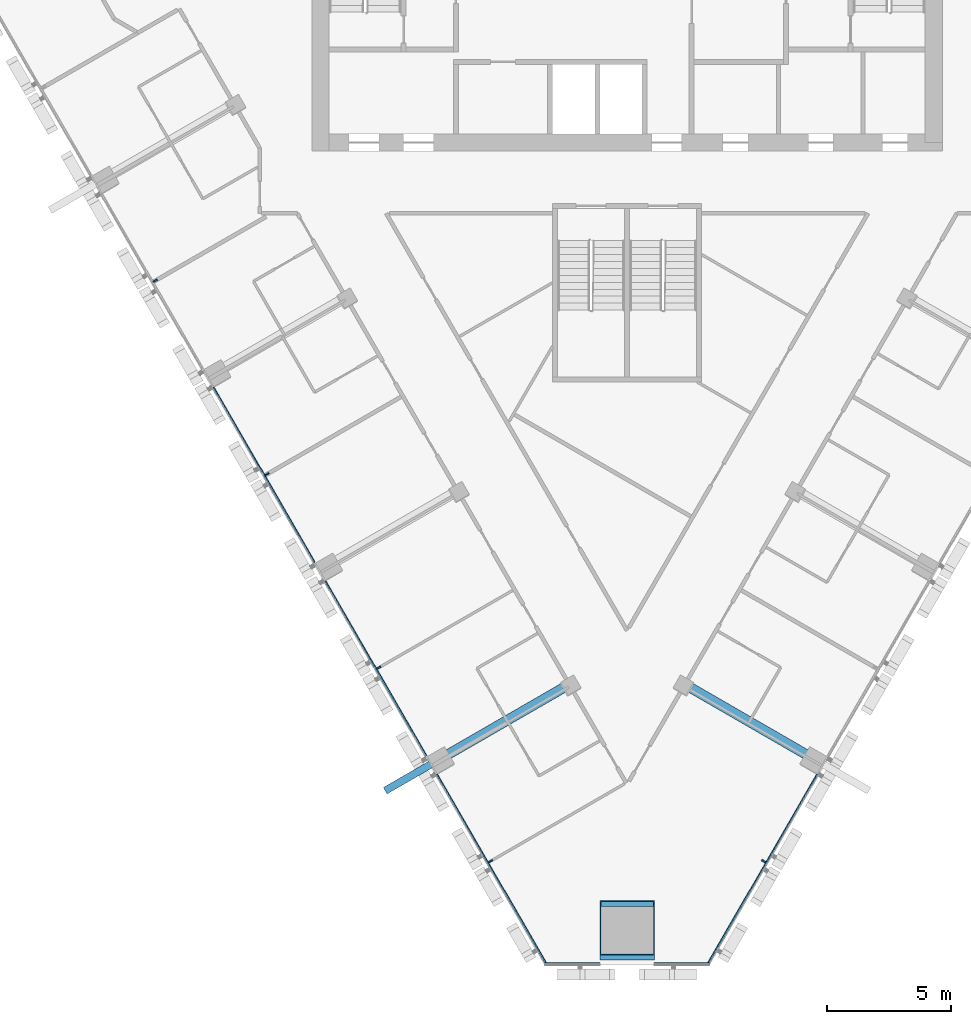
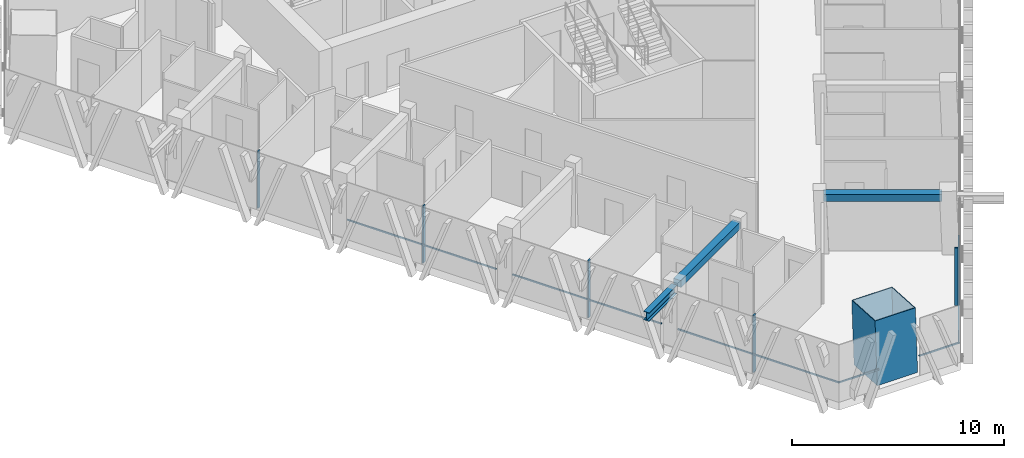
# One storey, part 2 of 15: 13 members, 2 beams, 3 elements without a shape of their own.
"""IFC4 building model written with IfcOpenShell, lengths in metres."""

from ifc_helpers import new_model, si_unit, direction, frame, origin, origin_2d, place, context, subcontext, project, spatial, rectangle, hollow_rectangle, i_section, extrude, material, layer, layer_set, material_profile, profile_set, type_object, element, aggregate, save


model = new_model("IFC4")

# Units and contexts
model_context = context("Model", 3, precision=1e-05, world=origin(), true_north=direction((0.0, 1.0)))
body_context = subcontext(model_context, "Body", "Model", "MODEL_VIEW")
ifc_project = project(units=[si_unit("LENGTHUNIT", "METRE"), si_unit("AREAUNIT", "SQUARE_METRE"), si_unit("VOLUMEUNIT", "CUBIC_METRE"), si_unit("PLANEANGLEUNIT", "RADIAN"), si_unit("MASSUNIT", "GRAM", prefix="KILO")], contexts=[model_context])

# Site, building, storey
site_placement = place(None, origin())
site = spatial("IfcSite", under=ifc_project, at=site_placement, CompositionType="ELEMENT")
building_placement = place(site_placement, origin())
building = spatial("IfcBuilding", under=site, at=building_placement, Name="Altiplano Prism Tower", CompositionType="ELEMENT")
storey_placement = place(building_placement, frame((0.0, 0.0, 185.39990234375)))
storey = spatial("IfcBuildingStorey", under=building, at=storey_placement, Name="L48", CompositionType="ELEMENT", Elevation=185.39990234375)

# Member
ifc_material_1 = material(Name="Steel S355", Category="steel")
ifc_material_profile_1 = material_profile(ifc_material_1, i_section(OverallWidth=0.300048828125, OverallDepth=0.5, WebThickness=0.014404296875, FlangeThickness=0.028076171875, FilletRadius=0.027099609375, at=origin_2d()), Name="Brace bracket HEB 500")
ifc_profile_set_1 = profile_set([ifc_material_profile_1], Name="Steel S355")
member_type_1 = type_object("IfcMemberType", Name="Brace bracket HEB 500", PredefinedType="STRUT", material=ifc_profile_set_1)
member_1_placement = place(storey_placement, frame((77.552734375, 68.268310546875, 2.9501953125), z_axis=(-0.865989200783, -0.500062700197, 0.0), x_axis=(0.500062700197, -0.865989200783, 0.0)))
element("IfcMember", 1, at=member_1_placement, inside=storey, type_object=member_type_1, Name="Brace bracket 1.189", PredefinedType="STRUT", context=body_context, shape_type="SweptSolid", body=[
    extrude(i_section(OverallWidth=0.300048828125, OverallDepth=0.5, WebThickness=0.014404296875, FlangeThickness=0.028076171875, FilletRadius=0.027099609375, at=origin_2d()), origin(), (0.0, 0.0, 1.0), 2.650146484375),
])

# Curtain wall, members
ifc_material_2 = material(Name="Aluminium and glass", Category="aluminium")
ifc_layer = layer(ifc_material_2, 0.280029296875)
ifc_layer_set = layer_set([ifc_layer], Name="Aluminium and glass")
curtain_wall_type = type_object("IfcCurtainWallType", Name="CW1 typical co-living unitised curtain wall", PredefinedType="NOTDEFINED", material=ifc_layer_set)
curtain_wall_1_placement = place(storey_placement, origin())
curtain_wall_1 = element("IfcCurtainWall", 2, at=curtain_wall_1_placement, inside=storey, type_object=curtain_wall_type, Name="CW1 curtain wall south-west face L48", PredefinedType="NOTDEFINED")
ifc_material_3 = material(Name="Aluminium", Category="aluminium")
ifc_material_profile_2 = material_profile(ifc_material_3, rectangle(XDim=0.179931640625, YDim=0.06494140625, at=origin_2d()), Name="CW1 mullion 65 x 180")
ifc_profile_set_2 = profile_set([ifc_material_profile_2], Name="Aluminium")
member_type_2 = type_object("IfcMemberType", Name="CW1 mullion 65 x 180", PredefinedType="MULLION", material=ifc_profile_set_2)
member_2_placement = place(storey_placement, frame((65.99755859375, 87.4853515625, 0.0), z_axis=(0.0, 0.0, 1.0), x_axis=(0.866025407999, 0.499999992699, 0.0)))
member_2 = element("IfcMember", 3, at=member_2_placement, type_object=member_type_2, Name="CW1 mullion", PredefinedType="MULLION", context=body_context, shape_type="SweptSolid", body=[
    extrude(rectangle(XDim=0.179931640625, YDim=0.06494140625, at=origin_2d()), origin(), (0.0, 0.0, 1.0), 3.300048828125),
])
member_3_placement = place(storey_placement, frame((70.49755859375, 79.69091796875, 0.0), z_axis=(0.0, 0.0, 1.0), x_axis=(0.866025407999, 0.499999992699, 0.0)))
member_3 = element("IfcMember", 4, at=member_3_placement, type_object=member_type_2, Name="CW1 mullion", PredefinedType="MULLION", context=body_context, shape_type="SweptSolid", body=[
    extrude(rectangle(XDim=0.179931640625, YDim=0.06494140625, at=origin_2d()), origin(), (0.0, 0.0, 1.0), 3.300048828125),
])
member_4_placement = place(storey_placement, frame((74.99755859375, 71.896728515625, 0.0), z_axis=(0.0, 0.0, 1.0), x_axis=(0.866025407999, 0.499999992699, 0.0)))
member_4 = element("IfcMember", 5, at=member_4_placement, type_object=member_type_2, Name="CW1 mullion", PredefinedType="MULLION", context=body_context, shape_type="SweptSolid", body=[
    extrude(rectangle(XDim=0.179931640625, YDim=0.06494140625, at=origin_2d()), origin(), (0.0, 0.0, 1.0), 3.300048828125),
])
member_5_placement = place(storey_placement, frame((79.49755859375, 64.1025390625, 0.0), z_axis=(0.0, 0.0, 1.0), x_axis=(0.866025407999, 0.499999992699, 0.0)))
member_5 = element("IfcMember", 6, at=member_5_placement, type_object=member_type_2, Name="CW1 mullion", PredefinedType="MULLION", context=body_context, shape_type="SweptSolid", body=[
    extrude(rectangle(XDim=0.179931640625, YDim=0.06494140625, at=origin_2d()), origin(), (0.0, 0.0, 1.0), 3.300048828125),
])

# Curtain wall, member
curtain_wall_2_placement = place(storey_placement, origin())
curtain_wall_2 = element("IfcCurtainWall", 7, at=curtain_wall_2_placement, inside=storey, type_object=curtain_wall_type, Name="CW1 curtain wall south-east face L48", PredefinedType="NOTDEFINED")
member_6_placement = place(storey_placement, frame((90.50244140625, 64.1025390625, 0.0), z_axis=(0.0, 0.0, 1.0), x_axis=(-0.866025407999, 0.499999992699, 0.0)))
member_6 = element("IfcMember", 8, at=member_6_placement, type_object=member_type_2, Name="CW1 mullion", PredefinedType="MULLION", context=body_context, shape_type="SweptSolid", body=[
    extrude(rectangle(XDim=0.179931640625, YDim=0.06494140625, at=origin_2d()), origin(), (0.0, 0.0, 1.0), 3.300048828125),
])

# Member
ifc_material_profile_3 = material_profile(ifc_material_3, rectangle(XDim=0.06005859375, YDim=0.080078125, at=origin_2d()), Name="CW1 transom 80 x 60")
ifc_profile_set_3 = profile_set([ifc_material_profile_3], Name="Aluminium")
member_type_3 = type_object("IfcMemberType", Name="CW1 transom 80 x 60", PredefinedType="USERDEFINED", material=ifc_profile_set_3)
member_7_placement = place(storey_placement, frame((68.343994140625, 83.18115234375, 1.10009765625), z_axis=(0.499994021373, -0.866028855519, 0.0), x_axis=(0.866028855519, 0.499994021373, 0.0)))
member_7 = element("IfcMember", 9, at=member_7_placement, type_object=member_type_3, Name="CW1 transom", ObjectType="TRANSOM", PredefinedType="USERDEFINED", context=body_context, shape_type="SweptSolid", body=[
    extrude(rectangle(XDim=0.06005859375, YDim=0.080078125, at=origin_2d()), origin(), (0.0, 0.0, 1.0), 8.119140625),
])

member_8_placement = place(storey_placement, frame((72.843994140625, 75.386962890625, 1.10009765625), z_axis=(0.499994021373, -0.866028855519, 0.0), x_axis=(0.866028855519, 0.499994021373, 0.0)))
member_8 = element("IfcMember", 10, at=member_8_placement, type_object=member_type_3, Name="CW1 transom", ObjectType="TRANSOM", PredefinedType="USERDEFINED", context=body_context, shape_type="SweptSolid", body=[
    extrude(rectangle(XDim=0.06005859375, YDim=0.080078125, at=origin_2d()), origin(), (0.0, 0.0, 1.0), 8.119140625),
])

member_9_placement = place(storey_placement, frame((77.343994140625, 67.5927734375, 1.10009765625), z_axis=(0.499988418424, -0.866032090307, 0.0), x_axis=(0.866032090307, 0.499988418424, 0.0)))
member_9 = element("IfcMember", 11, at=member_9_placement, type_object=member_type_3, Name="CW1 transom", ObjectType="TRANSOM", PredefinedType="USERDEFINED", context=body_context, shape_type="SweptSolid", body=[
    extrude(rectangle(XDim=0.06005859375, YDim=0.080078125, at=origin_2d()), origin(), (0.0, 0.0, 1.0), 8.820068359375),
])

aggregate(curtain_wall_1, [member_2, member_3, member_7, member_4, member_8, member_5, member_9])

# Curtain wall, members
curtain_wall_3_placement = place(storey_placement, origin())
curtain_wall_3 = element("IfcCurtainWall", 12, at=curtain_wall_3_placement, inside=storey, type_object=curtain_wall_type, Name="CW1 curtain wall south chamfer L48", PredefinedType="NOTDEFINED")
member_10_placement = place(storey_placement, frame((81.693359375, 59.9892578125, 1.10009765625), z_axis=(1.0, 0.0, 0.0), x_axis=(0.0, 1.0, 0.0)))
member_10 = element("IfcMember", 13, at=member_10_placement, type_object=member_type_3, Name="CW1 transom", ObjectType="TRANSOM", PredefinedType="USERDEFINED", context=body_context, shape_type="SweptSolid", body=[
    extrude(rectangle(XDim=0.06005859375, YDim=0.080078125, at=origin_2d()), origin(), (0.0, 0.0, 1.0), 2.20654296875),
])
member_11_placement = place(storey_placement, frame((86.10009765625, 59.9892578125, 1.10009765625), z_axis=(1.0, 0.0, 0.0), x_axis=(0.0, 1.0, 0.0)))
member_11 = element("IfcMember", 14, at=member_11_placement, type_object=member_type_3, Name="CW1 transom", ObjectType="TRANSOM", PredefinedType="USERDEFINED", context=body_context, shape_type="SweptSolid", body=[
    extrude(rectangle(XDim=0.06005859375, YDim=0.080078125, at=origin_2d()), origin(), (0.0, 0.0, 1.0), 2.20654296875),
])
aggregate(curtain_wall_3, [member_10, member_11])

# Member
member_12_placement = place(storey_placement, frame((88.24609375, 59.954345703125, 1.10009765625), z_axis=(0.499988418424, 0.866032090307, 0.0), x_axis=(-0.866032090307, 0.499988418424, 0.0)))
member_12 = element("IfcMember", 15, at=member_12_placement, type_object=member_type_3, Name="CW1 transom", ObjectType="TRANSOM", PredefinedType="USERDEFINED", context=body_context, shape_type="SweptSolid", body=[
    extrude(rectangle(XDim=0.06005859375, YDim=0.080078125, at=origin_2d()), origin(), (0.0, 0.0, 1.0), 8.820068359375),
])

aggregate(curtain_wall_2, [member_6, member_12])

ifc_material_4 = material(Name="Steel S460", Category="steel")
ifc_material_profile_4 = material_profile(ifc_material_4, hollow_rectangle(XDim=2.199951171875, YDim=2.199951171875, WallThickness=0.0400390625, at=origin_2d()), Name="Mega column tube 2200")
ifc_profile_set_4 = profile_set([ifc_material_profile_4], Name="Steel S460")
member_type_4 = type_object("IfcMemberType", Name="Mega column tube 2200", PredefinedType="POST", material=ifc_profile_set_4)
member_13_placement = place(storey_placement, frame((85.0, 61.21923828125, 0.0), z_axis=(0.0, 0.058356907999, 0.998295783467), x_axis=(-1.0, 0.0, 0.0)))
element("IfcMember", 16, at=member_13_placement, inside=storey, type_object=member_type_4, Name="Mega column tube M1 L48", PredefinedType="POST", context=body_context, shape_type="SweptSolid", body=[
    extrude(hollow_rectangle(XDim=2.199951171875, YDim=2.199951171875, WallThickness=0.0400390625, at=origin_2d()), origin(), (0.0, 0.0, 1.0), 3.606201171875),
])

# Beams
ifc_material_5 = material(Name="Concrete C60/75", Category="concrete")
ifc_material_profile_5 = material_profile(ifc_material_5, rectangle(XDim=0.39990234375, YDim=0.39990234375, at=origin_2d()), Name="Tie beam 400x400")
ifc_profile_set_5 = profile_set([ifc_material_profile_5], Name="Concrete C60/75")
beam_type = type_object("IfcBeamType", Name="Tie beam 400x400", PredefinedType="BEAM", material=ifc_profile_set_5)
for number, where, z_axis, x_axis, name in (
    (17, (82.63623046875, 71.203125, 3.10009765625), (-0.866030670444, -0.499990877767, 0.0), (0.499990877767, -0.866030670444, 0.0), "Tie beam I14 L49"),
    (18, (87.36376953125, 71.203125, 3.10009765625), (0.866030670444, -0.499990877767, 0.0), (0.499990877767, 0.866030670444, 0.0), "Tie beam I21 L49"),
):
    element("IfcBeam", number, at=place(storey_placement, frame(where, z_axis=z_axis, x_axis=x_axis)), inside=storey, type_object=beam_type, Name=name, PredefinedType="BEAM", context=body_context, shape_type="SweptSolid", body=[
        extrude(rectangle(XDim=0.39990234375, YDim=0.39990234375, at=origin_2d()), origin(), (0.0, 0.0, 1.0), 5.58984375),
    ])

save(model, "model.ifc")
